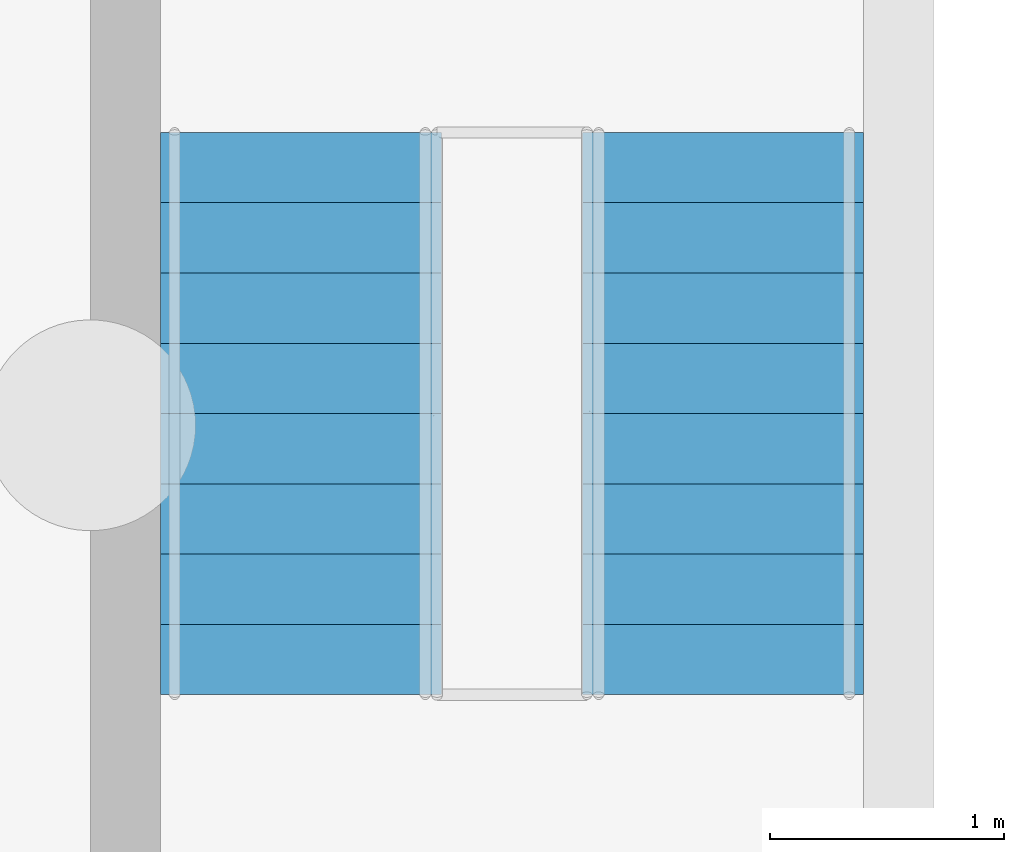
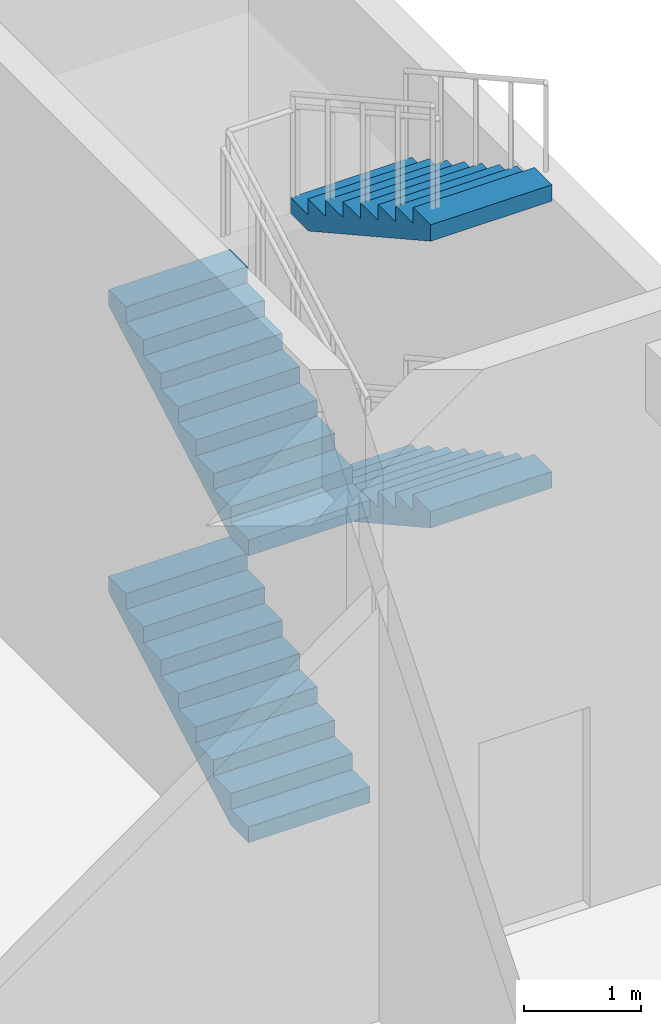
# One storey, part 45 of 51: 4 stair flights, 1 element without a shape of its own.
"""IFC4 building model written with IfcOpenShell, lengths in metres."""

from ifc_helpers import new_model, si_unit, direction, frame, origin, place, context, subcontext, project, spatial, polyline, outline, extrude, material, type_object, element, aggregate, save


model = new_model("IFC4")

# Units and contexts
model_context = context("Model", 3, precision=1e-05, world=origin(), true_north=direction((0.0, 1.0)))
body_context = subcontext(model_context, "Body", "Model", "MODEL_VIEW")
ifc_project = project(units=[si_unit("LENGTHUNIT", "METRE"), si_unit("AREAUNIT", "SQUARE_METRE"), si_unit("VOLUMEUNIT", "CUBIC_METRE"), si_unit("PLANEANGLEUNIT", "RADIAN"), si_unit("MASSUNIT", "GRAM", prefix="KILO")], contexts=[model_context])

# Site, building, storey
site_placement = place(None, origin())
site = spatial("IfcSite", under=ifc_project, at=site_placement, CompositionType="ELEMENT")
building_placement = place(site_placement, origin())
building = spatial("IfcBuilding", under=site, at=building_placement, Name="Elmora Arch Market Hall", CompositionType="ELEMENT")
storey_placement = place(building_placement, origin())
storey = spatial("IfcBuildingStorey", under=building, at=storey_placement, Name="L00", CompositionType="ELEMENT", Elevation=0.0)

# Stair, stair flights
ifc_material_1 = material(Name="Concrete C40/50", Category="concrete")
stair_type = type_object("IfcStairType", Name="Exit stair 1200", PredefinedType="TWO_STRAIGHT_RUN_STAIR", material=ifc_material_1)
stair_placement = place(storey_placement, origin())
stair = element("IfcStair", 1, at=stair_placement, inside=storey, type_object=stair_type, Name="Stair ST-SCE L00", PredefinedType="TWO_STRAIGHT_RUN_STAIR")
ifc_material_2 = material(Name="Concrete C40/50", Category="concrete")
stair_flight_type = type_object("IfcStairFlightType", Name="Stair flight 1200", PredefinedType="STRAIGHT", material=ifc_material_2)
stair_flight_1_placement = place(storey_placement, frame((131.300048828125, 160.5, 0.0), z_axis=(0.0, 0.0, 1.0), x_axis=(0.0, 1.0, 0.0)))
stair_flight_1 = element("IfcStairFlight", 2, at=stair_flight_1_placement, type_object=stair_flight_type, Name="Stair ST-SCE L00 flight 1", NumberOfRisers=9, NumberOfTreads=8, PredefinedType="STRAIGHT", RiserHeight=0.166666667, TreadLength=0.3, context=body_context, shape_type="SweptSolid", body=[
    extrude(outline(polyline([(0.0, 0.0), (0.0, 0.166748046875), (0.300048828125, 0.166748046875), (0.300048828125, 0.333251953125), (0.60009765625, 0.333251953125), (0.60009765625, 0.5), (0.89990234375, 0.5), (0.89990234375, 0.666748046875), (1.199951171875, 0.666748046875), (1.199951171875, 0.833251953125), (1.5, 0.833251953125), (1.5, 1.0), (1.800048828125, 1.0), (1.800048828125, 1.166748046875), (2.10009765625, 1.166748046875), (2.10009765625, 1.333251953125), (2.39990234375, 1.333251953125), (2.39990234375, 1.5), (2.39990234375, 1.161865234375), (0.30859375, 0.0), (0.0, 0.0)])), frame((0.0, 0.60009765625, 0.0), z_axis=(0.0, -1.0, 0.0), x_axis=(1.0, 0.0, 0.0)), (0.0, 0.0, 1.0), 1.199951171875),
])
stair_flight_2_placement = place(storey_placement, frame((133.10009765625, 162.89990234375, 1.5), z_axis=(0.0, 0.0, 1.0), x_axis=(0.0, -1.0, 0.0)))
stair_flight_2 = element("IfcStairFlight", 3, at=stair_flight_2_placement, type_object=stair_flight_type, Name="Stair ST-SCE L00 flight 2", NumberOfRisers=9, NumberOfTreads=8, PredefinedType="STRAIGHT", RiserHeight=0.166666667, TreadLength=0.3, context=body_context, shape_type="SweptSolid", body=[
    extrude(outline(polyline([(0.0, 0.0), (0.0, 0.166748046875), (0.300048828125, 0.166748046875), (0.300048828125, 0.333251953125), (0.60009765625, 0.333251953125), (0.60009765625, 0.5), (0.89990234375, 0.5), (0.89990234375, 0.666748046875), (1.199951171875, 0.666748046875), (1.199951171875, 0.833251953125), (1.5, 0.833251953125), (1.5, 1.0), (1.800048828125, 1.0), (1.800048828125, 1.166748046875), (2.10009765625, 1.166748046875), (2.10009765625, 1.333251953125), (2.39990234375, 1.333251953125), (2.39990234375, 1.5), (2.39990234375, 1.161865234375), (0.30859375, 0.0), (0.0, 0.0)])), frame((0.0, 0.60009765625, 0.0), z_axis=(0.0, -1.0, 0.0), x_axis=(1.0, 0.0, 0.0)), (0.0, 0.0, 1.0), 1.199951171875),
])
stair_flight_3_placement = place(storey_placement, frame((131.300048828125, 160.5, 3.0), z_axis=(0.0, 0.0, 1.0), x_axis=(0.0, 1.0, 0.0)))
stair_flight_3 = element("IfcStairFlight", 4, at=stair_flight_3_placement, type_object=stair_flight_type, Name="Stair ST-SCE L00 flight 3", NumberOfRisers=9, NumberOfTreads=8, PredefinedType="STRAIGHT", RiserHeight=0.166666667, TreadLength=0.3, context=body_context, shape_type="SweptSolid", body=[
    extrude(outline(polyline([(0.0, 0.0), (0.0, 0.166748046875), (0.300048828125, 0.166748046875), (0.300048828125, 0.333251953125), (0.60009765625, 0.333251953125), (0.60009765625, 0.5), (0.89990234375, 0.5), (0.89990234375, 0.666748046875), (1.199951171875, 0.666748046875), (1.199951171875, 0.833251953125), (1.5, 0.833251953125), (1.5, 1.0), (1.800048828125, 1.0), (1.800048828125, 1.166748046875), (2.10009765625, 1.166748046875), (2.10009765625, 1.333251953125), (2.39990234375, 1.333251953125), (2.39990234375, 1.5), (2.39990234375, 1.161865234375), (0.30859375, 0.0), (0.0, 0.0)])), frame((0.0, 0.60009765625, 0.0), z_axis=(0.0, -1.0, 0.0), x_axis=(1.0, 0.0, 0.0)), (0.0, 0.0, 1.0), 1.199951171875),
])
stair_flight_4_placement = place(storey_placement, frame((133.10009765625, 162.89990234375, 4.5), z_axis=(0.0, 0.0, 1.0), x_axis=(0.0, -1.0, 0.0)))
stair_flight_4 = element("IfcStairFlight", 5, at=stair_flight_4_placement, type_object=stair_flight_type, Name="Stair ST-SCE L00 flight 4", NumberOfRisers=9, NumberOfTreads=8, PredefinedType="STRAIGHT", RiserHeight=0.166666667, TreadLength=0.3, context=body_context, shape_type="SweptSolid", body=[
    extrude(outline(polyline([(0.0, 0.0), (0.0, 0.166748046875), (0.300048828125, 0.166748046875), (0.300048828125, 0.333251953125), (0.60009765625, 0.333251953125), (0.60009765625, 0.5), (0.89990234375, 0.5), (0.89990234375, 0.666748046875), (1.199951171875, 0.666748046875), (1.199951171875, 0.833251953125), (1.5, 0.833251953125), (1.5, 1.0), (1.800048828125, 1.0), (1.800048828125, 1.166748046875), (2.10009765625, 1.166748046875), (2.10009765625, 1.333251953125), (2.39990234375, 1.333251953125), (2.39990234375, 1.5), (2.39990234375, 1.161865234375), (0.30859375, 0.0), (0.0, 0.0)])), frame((0.0, 0.60009765625, 0.0), z_axis=(0.0, -1.0, 0.0), x_axis=(1.0, 0.0, 0.0)), (0.0, 0.0, 1.0), 1.199951171875),
])
aggregate(stair, [stair_flight_1, stair_flight_2, stair_flight_3, stair_flight_4])

save(model, "model.ifc")
